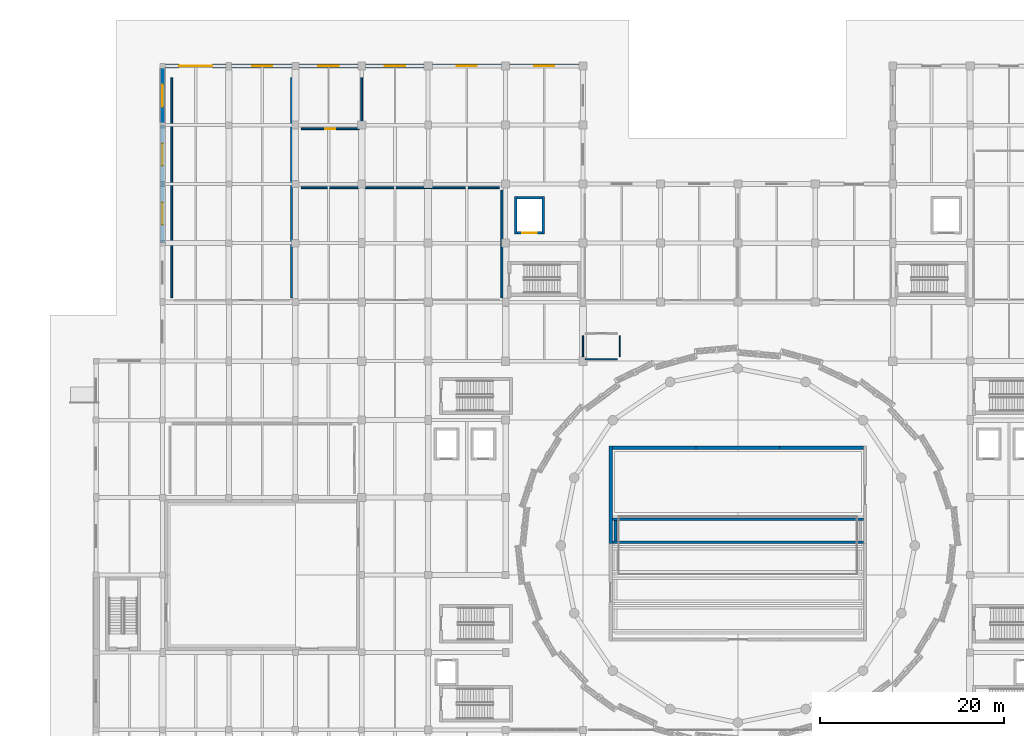
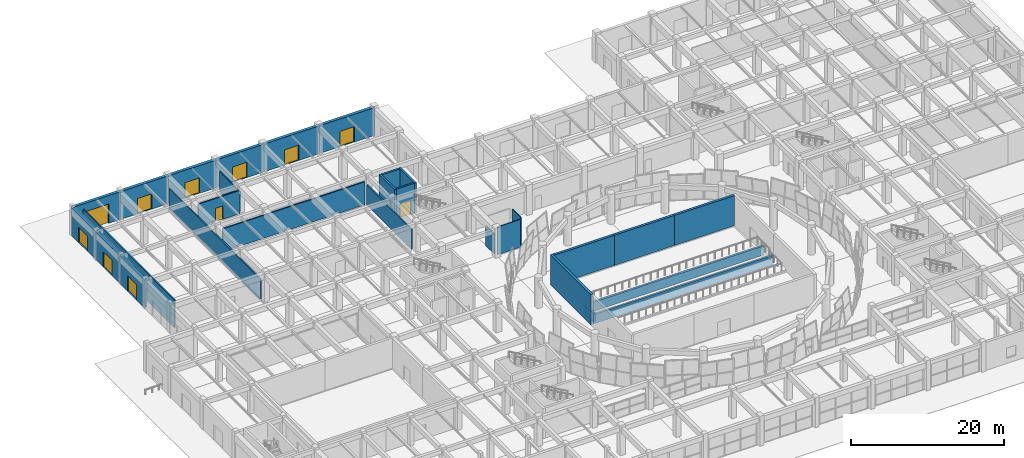
# One storey, part 49 of 72: 29 walls, 11 doors, 11 openings.
"""IFC4 building model written with IfcOpenShell, lengths in metres."""

from ifc_helpers import new_model, si_unit, direction, frame, frame_2d, origin, place, context, subcontext, project, spatial, rectangle, extrude, material, layer, layer_set, type_object, element, fill, save


model = new_model("IFC4")

# Units and contexts
model_context = context("Model", 3, precision=1e-05, world=origin(), true_north=direction((0.0, 1.0)))
body_context = subcontext(model_context, "Body", "Model", "MODEL_VIEW")
ifc_project = project(units=[si_unit("LENGTHUNIT", "METRE"), si_unit("AREAUNIT", "SQUARE_METRE"), si_unit("VOLUMEUNIT", "CUBIC_METRE"), si_unit("PLANEANGLEUNIT", "RADIAN"), si_unit("MASSUNIT", "GRAM", prefix="KILO")], contexts=[model_context])

# Site, building, storey
site_placement = place(None, origin())
site = spatial("IfcSite", under=ifc_project, at=site_placement, CompositionType="ELEMENT")
building_placement = place(site_placement, origin())
building = spatial("IfcBuilding", under=site, at=building_placement, Name="Korsvaeld Concert Hall", CompositionType="ELEMENT")
storey_placement = place(building_placement, origin())
storey = spatial("IfcBuildingStorey", under=building, at=storey_placement, Name="L00", CompositionType="ELEMENT", Elevation=0.0)

# Wall, opening, door
ifc_material_1 = material(Name="Coastal dark grey granite plinth on Concrete C35/45", Category="masonry")
ifc_layer_1 = layer(ifc_material_1, 0.43994140625)
ifc_layer_set_1 = layer_set([ifc_layer_1], Name="Coastal dark grey granite plinth on Concrete C35/45")
wall_type_1 = type_object("IfcWallType", Name="WL-EXT-GRAN-440", PredefinedType="STANDARD", material=ifc_layer_set_1)
wall_1_placement = place(storey_placement, frame((21.60009765625, 96.0, 0.0), z_axis=(0.0, 0.0, 1.0), x_axis=(0.0, 1.0, 0.0)))
wall_1 = element("IfcWall", 1, at=wall_1_placement, inside=storey, type_object=wall_type_1, Name="Exterior sandstone wall L00-062", PredefinedType="STANDARD", context=body_context, shape_type="SweptSolid", body=[
    extrude(rectangle(XDim=6.39990234375, YDim=0.43994140625, at=frame_2d((3.199951171875, 0.0))), origin(), (0.0, 0.0, 1.0), 4.43994140625),
])
opening_1_placement = place(wall_1_placement, frame((2.0, 0.0, 0.0)))
opening_1 = element("IfcOpeningElement", 2, at=opening_1_placement, cuts=wall_1, Name="Opening ED-01", PredefinedType="OPENING", context=body_context, shape_type="SweptSolid", body=[
    extrude(rectangle(XDim=2.39990234375, YDim=2.449951171875, at=frame_2d((1.199951171875, 1.22509765625))), frame((0.0, 0.22998046875, 0.0), z_axis=(0.0, -1.0, 0.0), x_axis=(1.0, 0.0, 0.0)), (0.0, 0.0, 1.0), 0.4599609375),
])
ifc_material_2 = material(Name="Anodised bronze glazed exit door")
door_type_1 = type_object("IfcDoorType", Name="DR-EXT-240x245", OperationType="DOUBLE_DOOR_SINGLE_SWING", PredefinedType="DOOR", material=ifc_material_2)
door_1_placement = place(opening_1_placement, frame((2.39990234375, 0.0, 0.0), z_axis=(0.0, 0.0, 1.0), x_axis=(-1.0, 0.0, 0.0)))
door_1 = element("IfcDoor", 3, at=door_1_placement, inside=storey, type_object=door_type_1, Name="Ground plaza pedestrian exit door EX-08", OperationType="DOUBLE_DOOR_SINGLE_SWING", OverallHeight=2.449951171875, OverallWidth=2.39990234375, PredefinedType="DOOR", context=body_context, shape_type="SweptSolid", body=[
    extrude(rectangle(XDim=2.39990234375, YDim=2.449951171875, at=frame_2d((1.199951171875, 1.22509765625))), frame((0.0, 0.02490234375, 0.0), z_axis=(0.0, -1.0, 0.0), x_axis=(1.0, 0.0, 0.0)), (0.0, 0.0, 1.0), 0.050048828125),
])
fill(opening_1, door_1)

wall_2_placement = place(storey_placement, frame((21.60009765625, 102.39990234375, 0.0), z_axis=(0.0, 0.0, 1.0), x_axis=(0.0, 1.0, 0.0)))
wall_2 = element("IfcWall", 4, at=wall_2_placement, inside=storey, type_object=wall_type_1, Name="Exterior sandstone wall L00-063", PredefinedType="STANDARD", context=body_context, shape_type="SweptSolid", body=[
    extrude(rectangle(XDim=6.400146484375, YDim=0.43994140625, at=frame_2d((3.2001953125, 0.0))), origin(), (0.0, 0.0, 1.0), 4.43994140625),
])
opening_2_placement = place(wall_2_placement, frame((2.0, 0.0, 0.0)))
opening_2 = element("IfcOpeningElement", 5, at=opening_2_placement, cuts=wall_2, Name="Opening ED-01", PredefinedType="OPENING", context=body_context, shape_type="SweptSolid", body=[
    extrude(rectangle(XDim=2.39990234375, YDim=2.449951171875, at=frame_2d((1.199951171875, 1.22509765625))), frame((0.0, 0.22998046875, 0.0), z_axis=(0.0, -1.0, 0.0), x_axis=(1.0, 0.0, 0.0)), (0.0, 0.0, 1.0), 0.4599609375),
])
door_2_placement = place(opening_2_placement, frame((2.39990234375, 0.0, 0.0), z_axis=(0.0, 0.0, 1.0), x_axis=(-1.0, 0.0, 0.0)))
door_2 = element("IfcDoor", 6, at=door_2_placement, inside=storey, type_object=door_type_1, Name="Ground plaza pedestrian exit door EX-09", OperationType="DOUBLE_DOOR_SINGLE_SWING", OverallHeight=2.449951171875, OverallWidth=2.39990234375, PredefinedType="DOOR", context=body_context, shape_type="SweptSolid", body=[
    extrude(rectangle(XDim=2.39990234375, YDim=2.449951171875, at=frame_2d((1.199951171875, 1.22509765625))), frame((0.0, 0.02490234375, 0.0), z_axis=(0.0, -1.0, 0.0), x_axis=(1.0, 0.0, 0.0)), (0.0, 0.0, 1.0), 0.050048828125),
])
fill(opening_2, door_2)

wall_3_placement = place(storey_placement, frame((21.60009765625, 108.800048828125, 0.0), z_axis=(0.0, 0.0, 1.0), x_axis=(0.0, 1.0, 0.0)))
wall_3 = element("IfcWall", 7, at=wall_3_placement, inside=storey, type_object=wall_type_1, Name="Exterior sandstone wall L00-064", PredefinedType="STANDARD", context=body_context, shape_type="SweptSolid", body=[
    extrude(rectangle(XDim=6.39990234375, YDim=0.43994140625, at=frame_2d((3.199951171875, 0.0))), origin(), (0.0, 0.0, 1.0), 4.43994140625),
])
opening_3_placement = place(wall_3_placement, frame((2.0, 0.0, 0.0)))
opening_3 = element("IfcOpeningElement", 8, at=opening_3_placement, cuts=wall_3, Name="Opening ED-01", PredefinedType="OPENING", context=body_context, shape_type="SweptSolid", body=[
    extrude(rectangle(XDim=2.39990234375, YDim=2.449951171875, at=frame_2d((1.199951171875, 1.22509765625))), frame((0.0, 0.22998046875, 0.0), z_axis=(0.0, -1.0, 0.0), x_axis=(1.0, 0.0, 0.0)), (0.0, 0.0, 1.0), 0.4599609375),
])
door_3_placement = place(opening_3_placement, frame((2.39990234375, 0.0, 0.0), z_axis=(0.0, 0.0, 1.0), x_axis=(-1.0, 0.0, 0.0)))
door_3 = element("IfcDoor", 9, at=door_3_placement, inside=storey, type_object=door_type_1, Name="Ground plaza pedestrian exit door EX-10", OperationType="DOUBLE_DOOR_SINGLE_SWING", OverallHeight=2.449951171875, OverallWidth=2.39990234375, PredefinedType="DOOR", context=body_context, shape_type="SweptSolid", body=[
    extrude(rectangle(XDim=2.39990234375, YDim=2.449951171875, at=frame_2d((1.199951171875, 1.22509765625))), frame((0.0, 0.02490234375, 0.0), z_axis=(0.0, -1.0, 0.0), x_axis=(1.0, 0.0, 0.0)), (0.0, 0.0, 1.0), 0.050048828125),
])
fill(opening_3, door_3)

wall_4_placement = place(storey_placement, frame((21.60009765625, 115.199951171875, 0.0), z_axis=(0.0, 0.0, 1.0), x_axis=(1.0, 0.0, 0.0)))
wall_4 = element("IfcWall", 10, at=wall_4_placement, inside=storey, type_object=wall_type_1, Name="Exterior sandstone wall L00-065", PredefinedType="STANDARD", context=body_context, shape_type="SweptSolid", body=[
    extrude(rectangle(XDim=7.199951171875, YDim=0.43994140625, at=frame_2d((3.60009765625, 0.0))), origin(), (0.0, 0.0, 1.0), 4.43994140625),
])
opening_4_placement = place(wall_4_placement, frame((1.800048828125, 0.0, 0.0)))
opening_4 = element("IfcOpeningElement", 11, at=opening_4_placement, cuts=wall_4, Name="Opening SH-01", PredefinedType="OPENING", context=body_context, shape_type="SweptSolid", body=[
    extrude(rectangle(XDim=3.60009765625, YDim=3.10009765625, at=frame_2d((1.800048828125, 1.550048828125))), frame((0.0, 0.22998046875, 0.0), z_axis=(0.0, -1.0, 0.0), x_axis=(1.0, 0.0, 0.0)), (0.0, 0.0, 1.0), 0.4599609375),
])
ifc_material_3 = material(Name="Insulated acoustic steel roller shutter", Category="steel")
door_type_2 = type_object("IfcDoorType", Name="DR-DOCK-360x310", OperationType="ROLLINGUP", PredefinedType="DOOR", material=ifc_material_3)
door_4_placement = place(opening_4_placement, origin())
door_4 = element("IfcDoor", 12, at=door_4_placement, inside=storey, type_object=door_type_2, Name="Acoustic stage loading dock roller shutter SH-01", OperationType="ROLLINGUP", OverallHeight=3.10009765625, OverallWidth=3.60009765625, PredefinedType="DOOR", context=body_context, shape_type="SweptSolid", body=[
    extrude(rectangle(XDim=3.60009765625, YDim=3.10009765625, at=frame_2d((1.800048828125, 1.550048828125))), frame((0.0, 0.02490234375, 0.0), z_axis=(0.0, -1.0, 0.0), x_axis=(1.0, 0.0, 0.0)), (0.0, 0.0, 1.0), 0.050048828125),
])
fill(opening_4, door_4)

wall_5_placement = place(storey_placement, frame((28.800048828125, 115.199951171875, 0.0), z_axis=(0.0, 0.0, 1.0), x_axis=(1.0, 0.0, 0.0)))
wall_5 = element("IfcWall", 13, at=wall_5_placement, inside=storey, type_object=wall_type_1, Name="Exterior sandstone wall L00-066", PredefinedType="STANDARD", context=body_context, shape_type="SweptSolid", body=[
    extrude(rectangle(XDim=7.199951171875, YDim=0.43994140625, at=frame_2d((3.60009765625, 0.0))), origin(), (0.0, 0.0, 1.0), 4.43994140625),
])
opening_5_placement = place(wall_5_placement, frame((2.5, 0.0, 0.0)))
opening_5 = element("IfcOpeningElement", 14, at=opening_5_placement, cuts=wall_5, Name="Opening ED-02", PredefinedType="OPENING", context=body_context, shape_type="SweptSolid", body=[
    extrude(rectangle(XDim=2.199951171875, YDim=2.449951171875, at=frame_2d((1.10009765625, 1.22509765625))), frame((0.0, 0.22998046875, 0.0), z_axis=(0.0, -1.0, 0.0), x_axis=(1.0, 0.0, 0.0)), (0.0, 0.0, 1.0), 0.4599609375),
])
door_type_3 = type_object("IfcDoorType", Name="DR-EXT-220x245", OperationType="DOUBLE_DOOR_SINGLE_SWING", PredefinedType="DOOR", material=ifc_material_2)
door_5_placement = place(opening_5_placement, frame((2.199951171875, 0.0, 0.0), z_axis=(0.0, 0.0, 1.0), x_axis=(-1.0, 0.0, 0.0)))
door_5 = element("IfcDoor", 15, at=door_5_placement, inside=storey, type_object=door_type_3, Name="Ground plaza pedestrian exit door EX-11", OperationType="DOUBLE_DOOR_SINGLE_SWING", OverallHeight=2.449951171875, OverallWidth=2.199951171875, PredefinedType="DOOR", context=body_context, shape_type="SweptSolid", body=[
    extrude(rectangle(XDim=2.199951171875, YDim=2.449951171875, at=frame_2d((1.10009765625, 1.22509765625))), frame((0.0, 0.02490234375, 0.0), z_axis=(0.0, -1.0, 0.0), x_axis=(1.0, 0.0, 0.0)), (0.0, 0.0, 1.0), 0.050048828125),
])
fill(opening_5, door_5)

wall_6_placement = place(storey_placement, frame((36.0, 115.199951171875, 0.0), z_axis=(0.0, 0.0, 1.0), x_axis=(1.0, 0.0, 0.0)))
wall_6 = element("IfcWall", 16, at=wall_6_placement, inside=storey, type_object=wall_type_1, Name="Exterior sandstone wall L00-067", PredefinedType="STANDARD", context=body_context, shape_type="SweptSolid", body=[
    extrude(rectangle(XDim=7.199951171875, YDim=0.43994140625, at=frame_2d((3.60009765625, 0.0))), origin(), (0.0, 0.0, 1.0), 4.43994140625),
])
opening_6_placement = place(wall_6_placement, frame((2.5, 0.0, 0.0)))
opening_6 = element("IfcOpeningElement", 17, at=opening_6_placement, cuts=wall_6, Name="Opening ED-02", PredefinedType="OPENING", context=body_context, shape_type="SweptSolid", body=[
    extrude(rectangle(XDim=2.199951171875, YDim=2.449951171875, at=frame_2d((1.10009765625, 1.22509765625))), frame((0.0, 0.22998046875, 0.0), z_axis=(0.0, -1.0, 0.0), x_axis=(1.0, 0.0, 0.0)), (0.0, 0.0, 1.0), 0.4599609375),
])
door_6_placement = place(opening_6_placement, frame((2.199951171875, 0.0, 0.0), z_axis=(0.0, 0.0, 1.0), x_axis=(-1.0, 0.0, 0.0)))
door_6 = element("IfcDoor", 18, at=door_6_placement, inside=storey, type_object=door_type_3, Name="Ground plaza pedestrian exit door EX-12", OperationType="DOUBLE_DOOR_SINGLE_SWING", OverallHeight=2.449951171875, OverallWidth=2.199951171875, PredefinedType="DOOR", context=body_context, shape_type="SweptSolid", body=[
    extrude(rectangle(XDim=2.199951171875, YDim=2.449951171875, at=frame_2d((1.10009765625, 1.22509765625))), frame((0.0, 0.02490234375, 0.0), z_axis=(0.0, -1.0, 0.0), x_axis=(1.0, 0.0, 0.0)), (0.0, 0.0, 1.0), 0.050048828125),
])
fill(opening_6, door_6)

wall_7_placement = place(storey_placement, frame((43.199951171875, 115.199951171875, 0.0), z_axis=(0.0, 0.0, 1.0), x_axis=(1.0, 0.0, 0.0)))
wall_7 = element("IfcWall", 19, at=wall_7_placement, inside=storey, type_object=wall_type_1, Name="Exterior sandstone wall L00-068", PredefinedType="STANDARD", context=body_context, shape_type="SweptSolid", body=[
    extrude(rectangle(XDim=7.199951171875, YDim=0.43994140625, at=frame_2d((3.60009765625, 0.0))), origin(), (0.0, 0.0, 1.0), 4.43994140625),
])
opening_7_placement = place(wall_7_placement, frame((2.5, 0.0, 0.0)))
opening_7 = element("IfcOpeningElement", 20, at=opening_7_placement, cuts=wall_7, Name="Opening ED-02", PredefinedType="OPENING", context=body_context, shape_type="SweptSolid", body=[
    extrude(rectangle(XDim=2.199951171875, YDim=2.449951171875, at=frame_2d((1.10009765625, 1.22509765625))), frame((0.0, 0.22998046875, 0.0), z_axis=(0.0, -1.0, 0.0), x_axis=(1.0, 0.0, 0.0)), (0.0, 0.0, 1.0), 0.4599609375),
])
door_7_placement = place(opening_7_placement, frame((2.199951171875, 0.0, 0.0), z_axis=(0.0, 0.0, 1.0), x_axis=(-1.0, 0.0, 0.0)))
door_7 = element("IfcDoor", 21, at=door_7_placement, inside=storey, type_object=door_type_3, Name="Ground plaza pedestrian exit door EX-13", OperationType="DOUBLE_DOOR_SINGLE_SWING", OverallHeight=2.449951171875, OverallWidth=2.199951171875, PredefinedType="DOOR", context=body_context, shape_type="SweptSolid", body=[
    extrude(rectangle(XDim=2.199951171875, YDim=2.449951171875, at=frame_2d((1.10009765625, 1.22509765625))), frame((0.0, 0.02490234375, 0.0), z_axis=(0.0, -1.0, 0.0), x_axis=(1.0, 0.0, 0.0)), (0.0, 0.0, 1.0), 0.050048828125),
])
fill(opening_7, door_7)

wall_8_placement = place(storey_placement, frame((50.39990234375, 115.199951171875, 0.0), z_axis=(0.0, 0.0, 1.0), x_axis=(1.0, 0.0, 0.0)))
wall_8 = element("IfcWall", 22, at=wall_8_placement, inside=storey, type_object=wall_type_1, Name="Exterior sandstone wall L00-069", PredefinedType="STANDARD", context=body_context, shape_type="SweptSolid", body=[
    extrude(rectangle(XDim=8.400146484375, YDim=0.43994140625, at=frame_2d((4.2001953125, 0.0))), origin(), (0.0, 0.0, 1.0), 4.43994140625),
])
opening_8_placement = place(wall_8_placement, frame((3.10009765625, 0.0, 0.0)))
opening_8 = element("IfcOpeningElement", 23, at=opening_8_placement, cuts=wall_8, Name="Opening ED-02", PredefinedType="OPENING", context=body_context, shape_type="SweptSolid", body=[
    extrude(rectangle(XDim=2.199951171875, YDim=2.449951171875, at=frame_2d((1.10009765625, 1.22509765625))), frame((0.0, 0.22998046875, 0.0), z_axis=(0.0, -1.0, 0.0), x_axis=(1.0, 0.0, 0.0)), (0.0, 0.0, 1.0), 0.4599609375),
])
door_8_placement = place(opening_8_placement, frame((2.199951171875, 0.0, 0.0), z_axis=(0.0, 0.0, 1.0), x_axis=(-1.0, 0.0, 0.0)))
door_8 = element("IfcDoor", 24, at=door_8_placement, inside=storey, type_object=door_type_3, Name="Ground plaza pedestrian exit door EX-14", OperationType="DOUBLE_DOOR_SINGLE_SWING", OverallHeight=2.449951171875, OverallWidth=2.199951171875, PredefinedType="DOOR", context=body_context, shape_type="SweptSolid", body=[
    extrude(rectangle(XDim=2.199951171875, YDim=2.449951171875, at=frame_2d((1.10009765625, 1.22509765625))), frame((0.0, 0.02490234375, 0.0), z_axis=(0.0, -1.0, 0.0), x_axis=(1.0, 0.0, 0.0)), (0.0, 0.0, 1.0), 0.050048828125),
])
fill(opening_8, door_8)

wall_9_placement = place(storey_placement, frame((58.800048828125, 115.199951171875, 0.0), z_axis=(0.0, 0.0, 1.0), x_axis=(1.0, 0.0, 0.0)))
wall_9 = element("IfcWall", 25, at=wall_9_placement, inside=storey, type_object=wall_type_1, Name="Exterior sandstone wall L00-070", PredefinedType="STANDARD", context=body_context, shape_type="SweptSolid", body=[
    extrude(rectangle(XDim=8.39990234375, YDim=0.43994140625, at=frame_2d((4.199951171875, 0.0))), origin(), (0.0, 0.0, 1.0), 4.43994140625),
])
opening_9_placement = place(wall_9_placement, frame((3.10009765625, 0.0, 0.0)))
opening_9 = element("IfcOpeningElement", 26, at=opening_9_placement, cuts=wall_9, Name="Opening ED-02", PredefinedType="OPENING", context=body_context, shape_type="SweptSolid", body=[
    extrude(rectangle(XDim=2.199951171875, YDim=2.449951171875, at=frame_2d((1.10009765625, 1.22509765625))), frame((0.0, 0.22998046875, 0.0), z_axis=(0.0, -1.0, 0.0), x_axis=(1.0, 0.0, 0.0)), (0.0, 0.0, 1.0), 0.4599609375),
])
door_9_placement = place(opening_9_placement, frame((2.199951171875, 0.0, 0.0), z_axis=(0.0, 0.0, 1.0), x_axis=(-1.0, 0.0, 0.0)))
door_9 = element("IfcDoor", 27, at=door_9_placement, inside=storey, type_object=door_type_3, Name="Ground plaza pedestrian exit door EX-15", OperationType="DOUBLE_DOOR_SINGLE_SWING", OverallHeight=2.449951171875, OverallWidth=2.199951171875, PredefinedType="DOOR", context=body_context, shape_type="SweptSolid", body=[
    extrude(rectangle(XDim=2.199951171875, YDim=2.449951171875, at=frame_2d((1.10009765625, 1.22509765625))), frame((0.0, 0.02490234375, 0.0), z_axis=(0.0, -1.0, 0.0), x_axis=(1.0, 0.0, 0.0)), (0.0, 0.0, 1.0), 0.050048828125),
])
fill(opening_9, door_9)

# Walls
ifc_material_4 = material(Name="Double acoustic gypsum fire compartment wall")
ifc_layer_2 = layer(ifc_material_4, 0.199951171875)
ifc_layer_set_2 = layer_set([ifc_layer_2], Name="Double acoustic gypsum fire compartment wall")
wall_type_2 = type_object("IfcWallType", Name="WL-FIRE-200", PredefinedType="PARTITIONING", material=ifc_layer_set_2)
wall_10_placement = place(storey_placement, frame((35.60009765625, 90.06005859375, 0.0), z_axis=(0.0, 0.0, 1.0), x_axis=(0.0, 1.0, 0.0)))
element("IfcWall", 28, at=wall_10_placement, inside=storey, type_object=wall_type_2, Name="Interior partition L00-20 E", PredefinedType="PARTITIONING", context=body_context, shape_type="SweptSolid", body=[
    extrude(rectangle(XDim=23.8798828125, YDim=0.199951171875, at=frame_2d((11.93994140625, 0.0))), origin(), (0.0, 0.0, 1.0), 3.215087890625),
])
wall_11_placement = place(storey_placement, frame((22.60009765625, 113.93994140625, 0.0), z_axis=(0.0, 0.0, 1.0), x_axis=(0.0, -1.0, 0.0)))
element("IfcWall", 29, at=wall_11_placement, inside=storey, type_object=wall_type_2, Name="Interior partition L00-20 W", PredefinedType="PARTITIONING", context=body_context, shape_type="SweptSolid", body=[
    extrude(rectangle(XDim=23.8798828125, YDim=0.199951171875, at=frame_2d((11.93994140625, 0.0))), origin(), (0.0, 0.0, 1.0), 4.43994140625),
])
wall_12_placement = place(storey_placement, frame((58.39990234375, 90.06005859375, 0.0), z_axis=(0.0, 0.0, 1.0), x_axis=(0.0, 1.0, 0.0)))
element("IfcWall", 30, at=wall_12_placement, inside=storey, type_object=wall_type_2, Name="Interior partition L00-21 E", PredefinedType="PARTITIONING", context=body_context, shape_type="SweptSolid", body=[
    extrude(rectangle(XDim=11.679931640625, YDim=0.199951171875, at=frame_2d((5.83984375, 0.0))), origin(), (0.0, 0.0, 1.0), 3.215087890625),
])
wall_13_placement = place(storey_placement, frame((58.139892578125, 102.0, 0.0), z_axis=(0.0, 0.0, 1.0), x_axis=(-1.0, 0.0, 0.0)))
element("IfcWall", 31, at=wall_13_placement, inside=storey, type_object=wall_type_2, Name="Interior partition L00-21 N", PredefinedType="PARTITIONING", context=body_context, shape_type="SweptSolid", body=[
    extrude(rectangle(XDim=21.47998046875, YDim=0.199951171875, at=frame_2d((10.739990234375, 0.0))), origin(), (0.0, 0.0, 1.0), 3.6650390625),
])

# Wall, opening, door
wall_14_placement = place(storey_placement, frame((36.659912109375, 108.39990234375, 0.0), z_axis=(0.0, 0.0, 1.0), x_axis=(1.0, 0.0, 0.0)))
wall_14 = element("IfcWall", 32, at=wall_14_placement, inside=storey, type_object=wall_type_2, Name="Interior partition L00-22 S", PredefinedType="PARTITIONING", context=body_context, shape_type="SweptSolid", body=[
    extrude(rectangle(XDim=6.280029296875, YDim=0.199951171875, at=frame_2d((3.14013671875, 0.0))), origin(), (0.0, 0.0, 1.0), 3.715087890625),
])
opening_10_placement = place(wall_14_placement, frame((2.590087890625, 0.0, 0.0)))
opening_10 = element("IfcOpeningElement", 33, at=opening_10_placement, cuts=wall_14, Name="Opening FD-05", PredefinedType="OPENING", context=body_context, shape_type="SweptSolid", body=[
    extrude(rectangle(XDim=1.10009765625, YDim=2.14990234375, at=frame_2d((0.550048828125, 1.074951171875))), frame((0.0, 0.10986328125, 0.0), z_axis=(0.0, -1.0, 0.0), x_axis=(1.0, 0.0, 0.0)), (0.0, 0.0, 1.0), 0.219970703125),
])
ifc_material_5 = material(Name="Oak fire-compartment door")
door_type_4 = type_object("IfcDoorType", Name="DR-FD-COMP-110x215", OperationType="NOTDEFINED", PredefinedType="DOOR", material=ifc_material_5)
door_10_placement = place(opening_10_placement, origin())
door_10 = element("IfcDoor", 34, at=door_10_placement, inside=storey, type_object=door_type_4, Name="Fire Control Room door L00-22", OperationType="SINGLE_SWING_LEFT", OverallHeight=2.14990234375, OverallWidth=1.10009765625, PredefinedType="DOOR", context=body_context, shape_type="SweptSolid", body=[
    extrude(rectangle(XDim=1.10009765625, YDim=2.14990234375, at=frame_2d((0.550048828125, 1.074951171875))), frame((0.0, 0.02490234375, 0.0), z_axis=(0.0, -1.0, 0.0), x_axis=(1.0, 0.0, 0.0)), (0.0, 0.0, 1.0), 0.050048828125),
])
fill(opening_10, door_10)

# Walls
wall_15_placement = place(storey_placement, frame((43.199951171875, 108.659912109375, 0.0), z_axis=(0.0, 0.0, 1.0), x_axis=(0.0, 1.0, 0.0)))
element("IfcWall", 35, at=wall_15_placement, inside=storey, type_object=wall_type_2, Name="Interior partition L00-22 E", PredefinedType="PARTITIONING", context=body_context, shape_type="SweptSolid", body=[
    extrude(rectangle(XDim=5.280029296875, YDim=0.199951171875, at=frame_2d((2.64013671875, 0.0))), origin(), (0.0, 0.0, 1.0), 3.215087890625),
])
ifc_material_6 = material(Name="Bornholm Nexo crimson sandstone on Concrete C40/50", Category="masonry")
ifc_layer_3 = layer(ifc_material_6, 0.360107421875)
ifc_layer_set_3 = layer_set([ifc_layer_3], Name="Bornholm Nexo crimson sandstone on Concrete C40/50")
wall_type_3 = type_object("IfcWallType", Name="WL-HALL-360", PredefinedType="SHEAR", material=ifc_layer_set_3)
for number, where, z_axis, x_axis, name in (
    (36, (97.6201171875, 73.800048828125, 0.0), (0.0, 0.0, 1.0), (-1.0, 0.0, 0.0), "Acoustic hall box wall V1H L00 N.1"),
    (37, (88.5400390625, 73.800048828125, 0.0), (0.0, 0.0, 1.0), (-1.0, 0.0, 0.0), "Acoustic hall box wall V1H L00 N.2"),
    (38, (79.4599609375, 73.800048828125, 0.0), (0.0, 0.0, 1.0), (-1.0, 0.0, 0.0), "Acoustic hall box wall V1H L00 N.3"),
):
    element("IfcWall", number, at=place(storey_placement, frame(where, z_axis=z_axis, x_axis=x_axis)), inside=storey, type_object=wall_type_3, Name=name, PredefinedType="SHEAR", context=body_context, shape_type="SweptSolid", body=[
        extrude(rectangle(XDim=9.080078125, YDim=0.360107421875, at=frame_2d((4.5400390625, 0.0))), origin(), (0.0, 0.0, 1.0), 4.800048828125),
    ])
wall_16_placement = place(storey_placement, frame((70.199951171875, 73.97998046875, 0.0), z_axis=(0.0, 0.0, 1.0), x_axis=(0.0, -1.0, 0.0)))
element("IfcWall", 39, at=wall_16_placement, inside=storey, type_object=wall_type_3, Name="Acoustic hall box wall V1H L00 W.1", PredefinedType="SHEAR", context=body_context, shape_type="SweptSolid", body=[
    extrude(rectangle(XDim=10.580078125, YDim=0.360107421875, at=frame_2d((5.2900390625, 0.0))), origin(), (0.0, 0.0, 1.0), 4.800048828125),
])
ifc_material_7 = material(Name="Insulated acoustic gypsum partition")
ifc_layer_4 = layer(ifc_material_7, 0.125)
ifc_layer_set_4 = layer_set([ifc_layer_4], Name="Insulated acoustic gypsum partition")
wall_type_4 = type_object("IfcWallType", Name="WL-PART-125", PredefinedType="PARTITIONING", material=ifc_layer_set_4)
wall_17_placement = place(storey_placement, frame((67.4599609375, 83.39990234375, 0.0), z_axis=(0.0, 0.0, 1.0), x_axis=(1.0, 0.0, 0.0)))
element("IfcWall", 40, at=wall_17_placement, inside=storey, type_object=wall_type_4, Name="Interior partition L00-35 S", PredefinedType="PARTITIONING", context=body_context, shape_type="SweptSolid", body=[
    extrude(rectangle(XDim=3.47998046875, YDim=0.125, at=frame_2d((1.739990234375, 0.0))), origin(), (0.0, 0.0, 1.0), 4.43994140625),
])
wall_18_placement = place(storey_placement, frame((71.199951171875, 83.659912109375, 0.0), z_axis=(0.0, 0.0, 1.0), x_axis=(0.0, 1.0, 0.0)))
element("IfcWall", 41, at=wall_18_placement, inside=storey, type_object=wall_type_4, Name="Interior partition L00-35 E", PredefinedType="PARTITIONING", context=body_context, shape_type="SweptSolid", body=[
    extrude(rectangle(XDim=2.280029296875, YDim=0.125, at=frame_2d((1.14013671875, 0.0))), origin(), (0.0, 0.0, 1.0), 4.43994140625),
])
wall_19_placement = place(storey_placement, frame((67.199951171875, 85.93994140625, 0.0), z_axis=(0.0, 0.0, 1.0), x_axis=(0.0, -1.0, 0.0)))
element("IfcWall", 42, at=wall_19_placement, inside=storey, type_object=wall_type_4, Name="Interior partition L00-35 W", PredefinedType="PARTITIONING", context=body_context, shape_type="SweptSolid", body=[
    extrude(rectangle(XDim=2.280029296875, YDim=0.125, at=frame_2d((1.14013671875, 0.0))), origin(), (0.0, 0.0, 1.0), 3.215087890625),
])

# Wall, opening, door
ifc_material_8 = material(Name="Concrete C40/50", Category="concrete")
ifc_layer_5 = layer(ifc_material_8, 0.280029296875)
ifc_layer_set_5 = layer_set([ifc_layer_5], Name="Concrete C40/50")
wall_type_5 = type_object("IfcWallType", Name="WL-SHAFT-280", PredefinedType="SHEAR", material=ifc_layer_set_5)
wall_20_placement = place(storey_placement, frame((60.0400390625, 97.10009765625, 0.0), z_axis=(0.0, 0.0, 1.0), x_axis=(1.0, 0.0, 0.0)))
wall_20 = element("IfcWall", 43, at=wall_20_placement, inside=storey, type_object=wall_type_5, Name="Lift LG-01 shaft wall L00 S", PredefinedType="SHEAR", context=body_context, shape_type="SweptSolid", body=[
    extrude(rectangle(XDim=2.719970703125, YDim=0.280029296875, at=frame_2d((1.35986328125, 0.0))), origin(), (0.0, 0.0, 1.0), 4.800048828125),
])
opening_11_placement = place(wall_20_placement, frame((0.56005859375, 0.0, 0.0)))
opening_11 = element("IfcOpeningElement", 44, at=opening_11_placement, cuts=wall_20, Name="Opening LD-03", PredefinedType="OPENING", context=body_context, shape_type="SweptSolid", body=[
    extrude(rectangle(XDim=1.60009765625, YDim=2.300048828125, at=frame_2d((0.800048828125, 1.14990234375))), frame((0.0, 0.14990234375, 0.0), z_axis=(0.0, -1.0, 0.0), x_axis=(1.0, 0.0, 0.0)), (0.0, 0.0, 1.0), 0.300048828125),
])
ifc_material_9 = material(Name="Heavy-duty stainless sliding goods lift landing door")
door_type_5 = type_object("IfcDoorType", Name="DR-LD-GOODS-160x230", OperationType="NOTDEFINED", PredefinedType="DOOR", material=ifc_material_9)
door_11_placement = place(opening_11_placement, origin())
door_11 = element("IfcDoor", 45, at=door_11_placement, inside=storey, type_object=door_type_5, Name="Lift landing door LG-01 L00", OperationType="SLIDING_TO_LEFT", OverallHeight=2.300048828125, OverallWidth=1.60009765625, PredefinedType="DOOR", context=body_context, shape_type="SweptSolid", body=[
    extrude(rectangle(XDim=1.60009765625, YDim=2.300048828125, at=frame_2d((0.800048828125, 1.14990234375))), frame((0.0, 0.02490234375, 0.0), z_axis=(0.0, -1.0, 0.0), x_axis=(1.0, 0.0, 0.0)), (0.0, 0.0, 1.0), 0.050048828125),
])
fill(opening_11, door_11)

# Walls
wall_21_placement = place(storey_placement, frame((62.89990234375, 96.9599609375, 0.0), z_axis=(0.0, 0.0, 1.0), x_axis=(0.0, 1.0, 0.0)))
element("IfcWall", 46, at=wall_21_placement, inside=storey, type_object=wall_type_5, Name="Lift LG-01 shaft wall L00 E", PredefinedType="SHEAR", context=body_context, shape_type="SweptSolid", body=[
    extrude(rectangle(XDim=4.080078125, YDim=0.280029296875, at=frame_2d((2.0400390625, 0.0))), origin(), (0.0, 0.0, 1.0), 4.800048828125),
])
wall_22_placement = place(storey_placement, frame((62.760009765625, 100.89990234375, 0.0), z_axis=(0.0, 0.0, 1.0), x_axis=(-1.0, 0.0, 0.0)))
element("IfcWall", 47, at=wall_22_placement, inside=storey, type_object=wall_type_5, Name="Lift LG-01 shaft wall L00 N", PredefinedType="SHEAR", context=body_context, shape_type="SweptSolid", body=[
    extrude(rectangle(XDim=2.719970703125, YDim=0.280029296875, at=frame_2d((1.35986328125, 0.0))), origin(), (0.0, 0.0, 1.0), 4.800048828125),
])
wall_23_placement = place(storey_placement, frame((59.89990234375, 101.0400390625, 0.0), z_axis=(0.0, 0.0, 1.0), x_axis=(0.0, -1.0, 0.0)))
element("IfcWall", 48, at=wall_23_placement, inside=storey, type_object=wall_type_5, Name="Lift LG-01 shaft wall L00 W", PredefinedType="SHEAR", context=body_context, shape_type="SweptSolid", body=[
    extrude(rectangle(XDim=4.080078125, YDim=0.280029296875, at=frame_2d((2.0400390625, 0.0))), origin(), (0.0, 0.0, 1.0), 4.800048828125),
])
ifc_layer_6 = layer(ifc_material_8, 0.300048828125)
ifc_layer_set_6 = layer_set([ifc_layer_6], Name="Concrete C40/50")
wall_type_6 = type_object("IfcWallType", Name="WL-TIER-300", PredefinedType="SHEAR", material=ifc_layer_set_6)
for number, where, z_axis, x_axis, name in (
    (49, (70.3798828125, 63.550048828125, 0.0), (0.0, 0.0, 1.0), (1.0, 0.0, 0.0), "Seating tier front riser wall V1-STALL-T4"),
    (50, (70.3798828125, 66.050048828125, 0.0), (0.0, 0.0, 1.0), (1.0, 0.0, 0.0), "Seating tier back riser wall V1-STALL-T4"),
):
    element("IfcWall", number, at=place(storey_placement, frame(where, z_axis=z_axis, x_axis=x_axis)), inside=storey, type_object=wall_type_6, Name=name, PredefinedType="SHEAR", context=body_context, shape_type="SweptSolid", body=[
        extrude(rectangle(XDim=27.240234375, YDim=0.300048828125, at=frame_2d((13.6201171875, 0.0))), origin(), (0.0, 0.0, 1.0), 1.449951171875),
    ])
wall_24_placement = place(storey_placement, frame((70.72998046875, 63.699951171875, 0.0), z_axis=(0.0, 0.0, 1.0), x_axis=(0.0, 1.0, 0.0)))
element("IfcWall", 51, at=wall_24_placement, inside=storey, type_object=wall_type_6, Name="Seating tier west flank wall V1-STALL-T4", PredefinedType="SHEAR", context=body_context, shape_type="SweptSolid", body=[
    extrude(rectangle(XDim=2.199951171875, YDim=0.300048828125, at=frame_2d((1.10009765625, 0.0))), origin(), (0.0, 0.0, 1.0), 1.449951171875),
])

save(model, "model.ifc")
